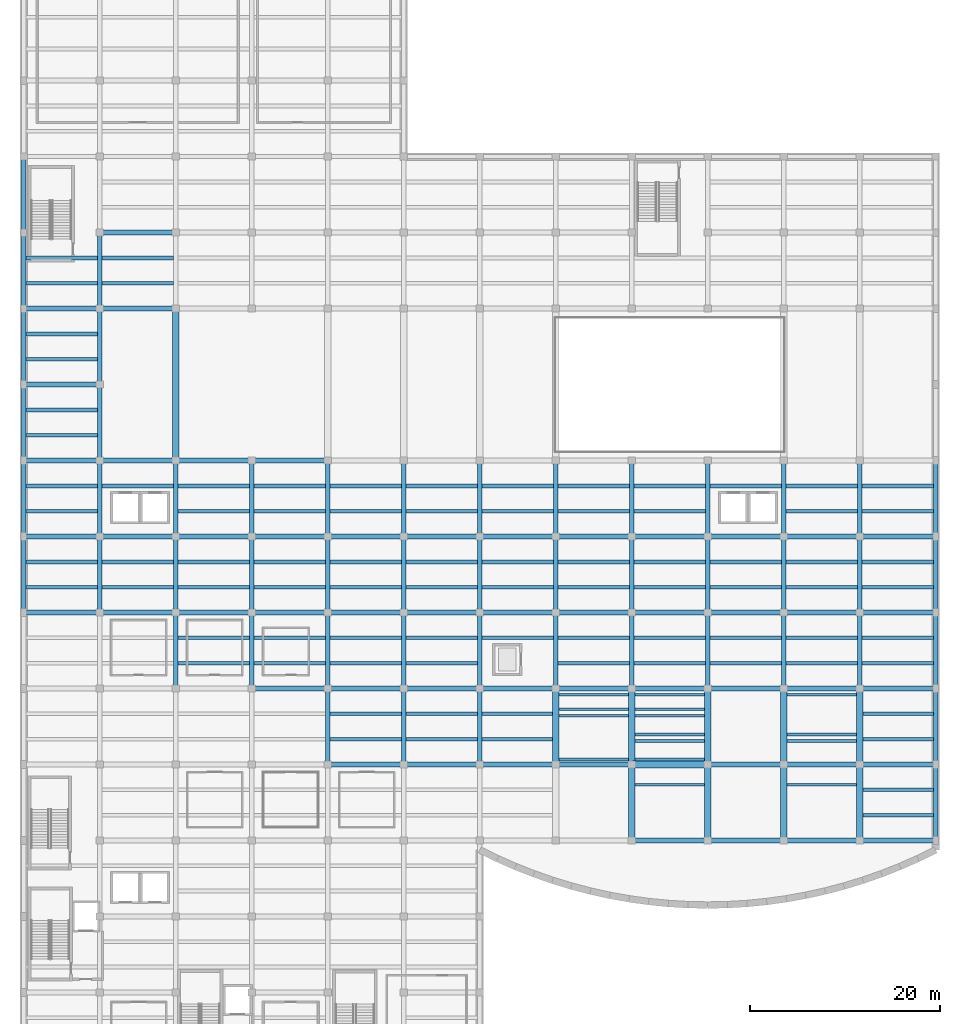
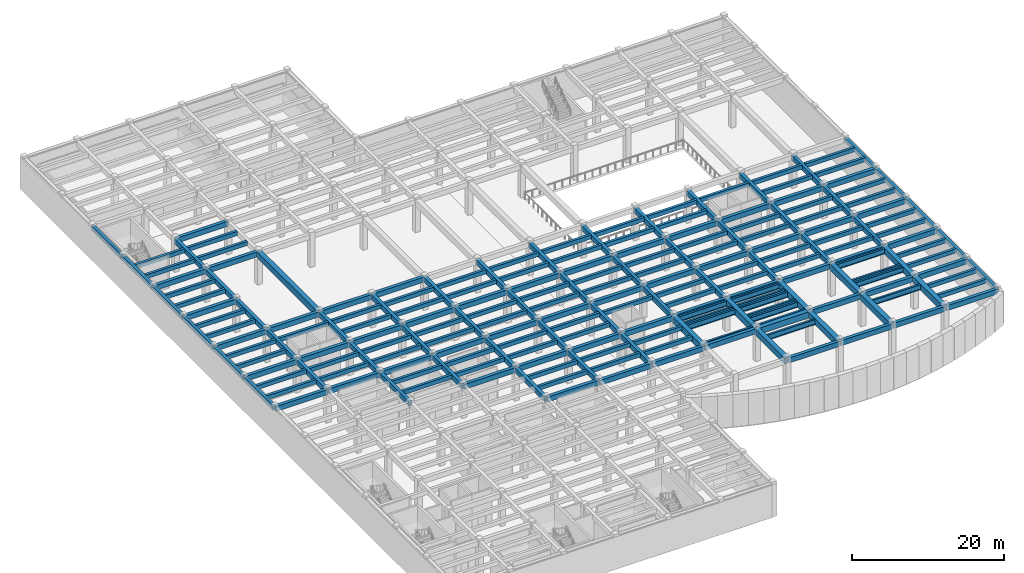
# One storey, part 2 of 19: 210 beams.
"""IFC4 building model written with IfcOpenShell, lengths in metres."""

from ifc_helpers import new_model, si_unit, direction, frame, origin, origin_2d, place, context, subcontext, project, spatial, rectangle, i_section, extrude, material, material_profile, profile_set, type_object, element, save


model = new_model("IFC4")

# Units and contexts
model_context = context("Model", 3, precision=1e-05, world=origin(), true_north=direction((0.0, 1.0)))
body_context = subcontext(model_context, "Body", "Model", "MODEL_VIEW")
ifc_project = project(units=[si_unit("LENGTHUNIT", "METRE"), si_unit("AREAUNIT", "SQUARE_METRE"), si_unit("VOLUMEUNIT", "CUBIC_METRE"), si_unit("PLANEANGLEUNIT", "RADIAN"), si_unit("MASSUNIT", "GRAM", prefix="KILO")], contexts=[model_context])

# Site, building, storey
site_placement = place(None, origin())
site = spatial("IfcSite", under=ifc_project, at=site_placement, CompositionType="ELEMENT")
building_placement = place(site_placement, origin())
building = spatial("IfcBuilding", under=site, at=building_placement, Name="Drelvath Fold Interchange", CompositionType="ELEMENT")
storey_placement = place(building_placement, frame((0.0, 0.0, -5.60009765625)))
storey = spatial("IfcBuildingStorey", under=building, at=storey_placement, Name="B1", CompositionType="ELEMENT", Elevation=-5.60009765625)

# Beams
ifc_material_1 = material(Name="Concrete f'c 45 MPa (6500 psi)", Category="concrete")
ifc_material_profile_1 = material_profile(ifc_material_1, rectangle(XDim=0.39990234375, YDim=0.64990234375, at=origin_2d()), Name="RC 400x650")
ifc_profile_set_1 = profile_set([ifc_material_profile_1], Name="Concrete f'c 45 MPa (6500 psi)")
beam_type_1 = type_object("IfcBeamType", Name="BM-RC400", PredefinedType="JOIST", material=ifc_profile_set_1)
for number, where, z_axis, x_axis, name in (
    (1, (4.222900390625, 53.6669921875, 4.955078125), (1.0, 0.0, 0.0), (0.0, 1.0, 0.0), "B1 Secondary floor joist BM-RC400"),
    (2, (4.222900390625, 56.3330078125, 4.955078125), (1.0, 0.0, 0.0), (0.0, 1.0, 0.0), "B1 Secondary floor joist BM-RC400"),
    (3, (4.222900390625, 61.6669921875, 4.955078125), (1.0, 0.0, 0.0), (0.0, 1.0, 0.0), "B1 Secondary floor joist BM-RC400"),
    (4, (4.222900390625, 64.3330078125, 4.955078125), (1.0, 0.0, 0.0), (0.0, 1.0, 0.0), "B1 Secondary floor joist BM-RC400"),
    (5, (4.222900390625, 69.6669921875, 4.955078125), (1.0, 0.0, 0.0), (0.0, 1.0, 0.0), "B1 Secondary floor joist BM-RC400"),
    (6, (4.222900390625, 72.3330078125, 4.955078125), (1.0, 0.0, 0.0), (0.0, 1.0, 0.0), "B1 Secondary floor joist BM-RC400"),
    (7, (4.222900390625, 77.6669921875, 4.955078125), (1.0, 0.0, 0.0), (0.0, 1.0, 0.0), "B1 Secondary floor joist BM-RC400"),
    (8, (4.222900390625, 80.3330078125, 4.955078125), (1.0, 0.0, 0.0), (0.0, 1.0, 0.0), "B1 Secondary floor joist BM-RC400"),
    (9, (4.222900390625, 85.6669921875, 4.955078125), (1.0, 0.0, 0.0), (0.0, 1.0, 0.0), "B1 Secondary floor joist BM-RC400"),
    (10, (4.222900390625, 88.3330078125, 4.955078125), (1.0, 0.0, 0.0), (0.0, 1.0, 0.0), "B1 Secondary floor joist BM-RC400"),
):
    element("IfcBeam", number, at=place(storey_placement, frame(where, z_axis=z_axis, x_axis=x_axis)), inside=storey, type_object=beam_type_1, Name=name, PredefinedType="JOIST", context=body_context, shape_type="SweptSolid", body=[
        extrude(rectangle(XDim=0.39990234375, YDim=0.64990234375, at=origin_2d()), origin(), (0.0, 0.0, 1.0), 7.529052734375),
    ])
for number, where, z_axis, x_axis, name in (
    (11, (12.248046875, 53.6669921875, 4.955078125), (1.0, 0.0, 0.0), (0.0, 1.0, 0.0), "B1 Secondary floor joist BM-RC400"),
    (12, (12.248046875, 56.3330078125, 4.955078125), (1.0, 0.0, 0.0), (0.0, 1.0, 0.0), "B1 Secondary floor joist BM-RC400"),
    (13, (12.248046875, 64.3330078125, 4.955078125), (1.0, 0.0, 0.0), (0.0, 1.0, 0.0), "B1 Secondary floor joist BM-RC400"),
    (14, (12.248046875, 85.6669921875, 4.955078125), (1.0, 0.0, 0.0), (0.0, 1.0, 0.0), "B1 Secondary floor joist BM-RC400"),
    (15, (12.248046875, 88.3330078125, 4.955078125), (1.0, 0.0, 0.0), (0.0, 1.0, 0.0), "B1 Secondary floor joist BM-RC400"),
    (16, (20.248046875, 45.6669921875, 4.955078125), (1.0, 0.0, 0.0), (0.0, 1.0, 0.0), "B1 Secondary floor joist BM-RC400"),
    (17, (20.248046875, 48.3330078125, 4.955078125), (1.0, 0.0, 0.0), (0.0, 1.0, 0.0), "B1 Secondary floor joist BM-RC400"),
    (18, (20.248046875, 53.6669921875, 4.955078125), (1.0, 0.0, 0.0), (0.0, 1.0, 0.0), "B1 Secondary floor joist BM-RC400"),
    (19, (20.248046875, 56.3330078125, 4.955078125), (1.0, 0.0, 0.0), (0.0, 1.0, 0.0), "B1 Secondary floor joist BM-RC400"),
    (20, (20.248046875, 61.6669921875, 4.955078125), (1.0, 0.0, 0.0), (0.0, 1.0, 0.0), "B1 Secondary floor joist BM-RC400"),
    (21, (20.248046875, 64.3330078125, 4.955078125), (1.0, 0.0, 0.0), (0.0, 1.0, 0.0), "B1 Secondary floor joist BM-RC400"),
    (22, (28.248046875, 45.6669921875, 4.955078125), (1.0, 0.0, 0.0), (0.0, 1.0, 0.0), "B1 Secondary floor joist BM-RC400"),
    (23, (28.248046875, 48.3330078125, 4.955078125), (1.0, 0.0, 0.0), (0.0, 1.0, 0.0), "B1 Secondary floor joist BM-RC400"),
    (24, (28.248046875, 53.6669921875, 4.955078125), (1.0, 0.0, 0.0), (0.0, 1.0, 0.0), "B1 Secondary floor joist BM-RC400"),
    (25, (28.248046875, 56.3330078125, 4.955078125), (1.0, 0.0, 0.0), (0.0, 1.0, 0.0), "B1 Secondary floor joist BM-RC400"),
    (26, (28.248046875, 61.6669921875, 4.955078125), (1.0, 0.0, 0.0), (0.0, 1.0, 0.0), "B1 Secondary floor joist BM-RC400"),
    (27, (28.248046875, 64.3330078125, 4.955078125), (1.0, 0.0, 0.0), (0.0, 1.0, 0.0), "B1 Secondary floor joist BM-RC400"),
    (28, (36.248046875, 37.6669921875, 4.955078125), (1.0, 0.0, 0.0), (0.0, 1.0, 0.0), "B1 Secondary floor joist BM-RC400"),
    (29, (36.248046875, 40.3330078125, 4.955078125), (1.0, 0.0, 0.0), (0.0, 1.0, 0.0), "B1 Secondary floor joist BM-RC400"),
    (30, (36.248046875, 45.6669921875, 4.955078125), (1.0, 0.0, 0.0), (0.0, 1.0, 0.0), "B1 Secondary floor joist BM-RC400"),
    (31, (36.248046875, 48.3330078125, 4.955078125), (1.0, 0.0, 0.0), (0.0, 1.0, 0.0), "B1 Secondary floor joist BM-RC400"),
    (32, (36.248046875, 53.6669921875, 4.955078125), (1.0, 0.0, 0.0), (0.0, 1.0, 0.0), "B1 Secondary floor joist BM-RC400"),
    (33, (36.248046875, 56.3330078125, 4.955078125), (1.0, 0.0, 0.0), (0.0, 1.0, 0.0), "B1 Secondary floor joist BM-RC400"),
    (34, (36.248046875, 61.6669921875, 4.955078125), (1.0, 0.0, 0.0), (0.0, 1.0, 0.0), "B1 Secondary floor joist BM-RC400"),
    (35, (36.248046875, 64.3330078125, 4.955078125), (1.0, 0.0, 0.0), (0.0, 1.0, 0.0), "B1 Secondary floor joist BM-RC400"),
    (36, (44.248046875, 37.6669921875, 4.955078125), (1.0, 0.0, 0.0), (0.0, 1.0, 0.0), "B1 Secondary floor joist BM-RC400"),
    (37, (44.248046875, 40.3330078125, 4.955078125), (1.0, 0.0, 0.0), (0.0, 1.0, 0.0), "B1 Secondary floor joist BM-RC400"),
    (38, (44.248046875, 45.6669921875, 4.955078125), (1.0, 0.0, 0.0), (0.0, 1.0, 0.0), "B1 Secondary floor joist BM-RC400"),
    (39, (44.248046875, 48.3330078125, 4.955078125), (1.0, 0.0, 0.0), (0.0, 1.0, 0.0), "B1 Secondary floor joist BM-RC400"),
    (40, (44.248046875, 53.6669921875, 4.955078125), (1.0, 0.0, 0.0), (0.0, 1.0, 0.0), "B1 Secondary floor joist BM-RC400"),
    (41, (44.248046875, 56.3330078125, 4.955078125), (1.0, 0.0, 0.0), (0.0, 1.0, 0.0), "B1 Secondary floor joist BM-RC400"),
    (42, (44.248046875, 61.6669921875, 4.955078125), (1.0, 0.0, 0.0), (0.0, 1.0, 0.0), "B1 Secondary floor joist BM-RC400"),
    (43, (44.248046875, 64.3330078125, 4.955078125), (1.0, 0.0, 0.0), (0.0, 1.0, 0.0), "B1 Secondary floor joist BM-RC400"),
):
    element("IfcBeam", number, at=place(storey_placement, frame(where, z_axis=z_axis, x_axis=x_axis)), inside=storey, type_object=beam_type_1, Name=name, PredefinedType="JOIST", context=body_context, shape_type="SweptSolid", body=[
        extrude(rectangle(XDim=0.39990234375, YDim=0.64990234375, at=origin_2d()), origin(), (0.0, 0.0, 1.0), 7.50390625),
    ])
for number, where, z_axis, x_axis, name in (
    (44, (52.248046875, 37.6669921875, 4.85498046875), (1.0, 0.0, 0.0), (0.0, 1.0, 0.0), "B1 Secondary floor joist BM-RC400"),
    (45, (52.248046875, 40.3330078125, 4.85498046875), (1.0, 0.0, 0.0), (0.0, 1.0, 0.0), "B1 Secondary floor joist BM-RC400"),
):
    element("IfcBeam", number, at=place(storey_placement, frame(where, z_axis=z_axis, x_axis=x_axis)), inside=storey, type_object=beam_type_1, Name=name, PredefinedType="JOIST", context=body_context, shape_type="SweptSolid", body=[
        extrude(rectangle(XDim=0.39990234375, YDim=0.64990234375, at=origin_2d()), origin(), (0.0, 0.0, 1.0), 7.404052734375),
    ])
for number, where, z_axis, x_axis, name in (
    (46, (52.248046875, 48.3330078125, 4.85498046875), (1.0, 0.0, 0.0), (0.0, 1.0, 0.0), "B1 Secondary floor joist BM-RC400"),
    (47, (52.248046875, 53.6669921875, 4.85498046875), (1.0, 0.0, 0.0), (0.0, 1.0, 0.0), "B1 Secondary floor joist BM-RC400"),
    (48, (52.248046875, 56.3330078125, 4.85498046875), (1.0, 0.0, 0.0), (0.0, 1.0, 0.0), "B1 Secondary floor joist BM-RC400"),
    (49, (52.248046875, 61.6669921875, 4.955078125), (1.0, 0.0, 0.0), (0.0, 1.0, 0.0), "B1 Secondary floor joist BM-RC400"),
    (50, (52.248046875, 64.3330078125, 4.955078125), (1.0, 0.0, 0.0), (0.0, 1.0, 0.0), "B1 Secondary floor joist BM-RC400"),
    (51, (60.248046875, 45.6669921875, 4.85498046875), (1.0, 0.0, 0.0), (0.0, 1.0, 0.0), "B1 Secondary floor joist BM-RC400"),
    (52, (60.248046875, 48.3330078125, 4.85498046875), (1.0, 0.0, 0.0), (0.0, 1.0, 0.0), "B1 Secondary floor joist BM-RC400"),
    (53, (60.248046875, 53.6669921875, 4.85498046875), (1.0, 0.0, 0.0), (0.0, 1.0, 0.0), "B1 Secondary floor joist BM-RC400"),
    (54, (60.248046875, 56.3330078125, 4.85498046875), (1.0, 0.0, 0.0), (0.0, 1.0, 0.0), "B1 Secondary floor joist BM-RC400"),
    (55, (60.248046875, 61.6669921875, 4.955078125), (1.0, 0.0, 0.0), (0.0, 1.0, 0.0), "B1 Secondary floor joist BM-RC400"),
    (56, (60.248046875, 64.3330078125, 4.955078125), (1.0, 0.0, 0.0), (0.0, 1.0, 0.0), "B1 Secondary floor joist BM-RC400"),
    (57, (68.248046875, 45.6669921875, 4.85498046875), (1.0, 0.0, 0.0), (0.0, 1.0, 0.0), "B1 Secondary floor joist BM-RC400"),
    (58, (68.248046875, 48.3330078125, 4.85498046875), (1.0, 0.0, 0.0), (0.0, 1.0, 0.0), "B1 Secondary floor joist BM-RC400"),
    (59, (68.248046875, 53.6669921875, 4.85498046875), (1.0, 0.0, 0.0), (0.0, 1.0, 0.0), "B1 Secondary floor joist BM-RC400"),
    (60, (68.248046875, 56.3330078125, 4.85498046875), (1.0, 0.0, 0.0), (0.0, 1.0, 0.0), "B1 Secondary floor joist BM-RC400"),
    (61, (68.248046875, 61.6669921875, 4.955078125), (1.0, 0.0, 0.0), (0.0, 1.0, 0.0), "B1 Secondary floor joist BM-RC400"),
    (62, (68.248046875, 64.3330078125, 4.955078125), (1.0, 0.0, 0.0), (0.0, 1.0, 0.0), "B1 Secondary floor joist BM-RC400"),
    (63, (76.248046875, 45.6669921875, 4.85498046875), (1.0, 0.0, 0.0), (0.0, 1.0, 0.0), "B1 Secondary floor joist BM-RC400"),
    (64, (76.248046875, 48.3330078125, 4.85498046875), (1.0, 0.0, 0.0), (0.0, 1.0, 0.0), "B1 Secondary floor joist BM-RC400"),
    (65, (76.248046875, 53.6669921875, 4.85498046875), (1.0, 0.0, 0.0), (0.0, 1.0, 0.0), "B1 Secondary floor joist BM-RC400"),
    (66, (76.248046875, 56.3330078125, 4.85498046875), (1.0, 0.0, 0.0), (0.0, 1.0, 0.0), "B1 Secondary floor joist BM-RC400"),
    (67, (76.248046875, 64.3330078125, 4.955078125), (1.0, 0.0, 0.0), (0.0, 1.0, 0.0), "B1 Secondary floor joist BM-RC400"),
    (68, (84.248046875, 45.6669921875, 4.85498046875), (1.0, 0.0, 0.0), (0.0, 1.0, 0.0), "B1 Secondary floor joist BM-RC400"),
    (69, (84.248046875, 48.3330078125, 4.85498046875), (1.0, 0.0, 0.0), (0.0, 1.0, 0.0), "B1 Secondary floor joist BM-RC400"),
    (70, (84.248046875, 53.6669921875, 4.85498046875), (1.0, 0.0, 0.0), (0.0, 1.0, 0.0), "B1 Secondary floor joist BM-RC400"),
    (71, (84.248046875, 56.3330078125, 4.85498046875), (1.0, 0.0, 0.0), (0.0, 1.0, 0.0), "B1 Secondary floor joist BM-RC400"),
    (72, (84.248046875, 61.6669921875, 4.955078125), (1.0, 0.0, 0.0), (0.0, 1.0, 0.0), "B1 Secondary floor joist BM-RC400"),
    (73, (84.248046875, 64.3330078125, 4.955078125), (1.0, 0.0, 0.0), (0.0, 1.0, 0.0), "B1 Secondary floor joist BM-RC400"),
):
    element("IfcBeam", number, at=place(storey_placement, frame(where, z_axis=z_axis, x_axis=x_axis)), inside=storey, type_object=beam_type_1, Name=name, PredefinedType="JOIST", context=body_context, shape_type="SweptSolid", body=[
        extrude(rectangle(XDim=0.39990234375, YDim=0.64990234375, at=origin_2d()), origin(), (0.0, 0.0, 1.0), 7.50390625),
    ])
for number, where, z_axis, x_axis, name in (
    (74, (92.347900390625, 29.6669921875, 4.85498046875), (1.0, 0.0, 0.0), (0.0, 1.0, 0.0), "B1 Secondary floor joist BM-RC400"),
    (75, (92.347900390625, 32.3330078125, 4.85498046875), (1.0, 0.0, 0.0), (0.0, 1.0, 0.0), "B1 Secondary floor joist BM-RC400"),
    (76, (92.347900390625, 37.6669921875, 4.85498046875), (1.0, 0.0, 0.0), (0.0, 1.0, 0.0), "B1 Secondary floor joist BM-RC400"),
    (77, (92.347900390625, 40.3330078125, 4.85498046875), (1.0, 0.0, 0.0), (0.0, 1.0, 0.0), "B1 Secondary floor joist BM-RC400"),
):
    element("IfcBeam", number, at=place(storey_placement, frame(where, z_axis=z_axis, x_axis=x_axis)), inside=storey, type_object=beam_type_1, Name=name, PredefinedType="JOIST", context=body_context, shape_type="SweptSolid", body=[
        extrude(rectangle(XDim=0.39990234375, YDim=0.64990234375, at=origin_2d()), origin(), (0.0, 0.0, 1.0), 7.42919921875),
    ])
for number, where, z_axis, x_axis, name in (
    (78, (92.248046875, 45.6669921875, 4.85498046875), (1.0, 0.0, 0.0), (0.0, 1.0, 0.0), "B1 Secondary floor joist BM-RC400"),
    (79, (92.248046875, 48.3330078125, 4.85498046875), (1.0, 0.0, 0.0), (0.0, 1.0, 0.0), "B1 Secondary floor joist BM-RC400"),
    (80, (92.248046875, 53.6669921875, 4.85498046875), (1.0, 0.0, 0.0), (0.0, 1.0, 0.0), "B1 Secondary floor joist BM-RC400"),
    (81, (92.248046875, 56.3330078125, 4.85498046875), (1.0, 0.0, 0.0), (0.0, 1.0, 0.0), "B1 Secondary floor joist BM-RC400"),
    (82, (92.248046875, 61.6669921875, 4.955078125), (1.0, 0.0, 0.0), (0.0, 1.0, 0.0), "B1 Secondary floor joist BM-RC400"),
    (83, (92.248046875, 64.3330078125, 4.955078125), (1.0, 0.0, 0.0), (0.0, 1.0, 0.0), "B1 Secondary floor joist BM-RC400"),
):
    element("IfcBeam", number, at=place(storey_placement, frame(where, z_axis=z_axis, x_axis=x_axis)), inside=storey, type_object=beam_type_1, Name=name, PredefinedType="JOIST", context=body_context, shape_type="SweptSolid", body=[
        extrude(rectangle(XDim=0.39990234375, YDim=0.64990234375, at=origin_2d()), origin(), (0.0, 0.0, 1.0), 7.529052734375),
    ])
ifc_material_profile_2 = material_profile(ifc_material_1, rectangle(XDim=0.449951171875, YDim=0.75, at=origin_2d()), Name="RC 450x750")
ifc_profile_set_2 = profile_set([ifc_material_profile_2], Name="Concrete f'c 45 MPa (6500 psi)")
beam_type_2 = type_object("IfcBeamType", Name="BM-RC450", PredefinedType="SPANDREL", material=ifc_profile_set_2)
for number, where, z_axis, x_axis, name in (
    (84, (4.0, 51.06005859375, 4.905029296875), (0.0, 1.0, 0.0), (-1.0, 0.0, 0.0), "B1 Primary Y girder BM-RC450"),
    (85, (4.0, 59.06005859375, 4.905029296875), (0.0, 1.0, 0.0), (-1.0, 0.0, 0.0), "B1 Primary Y girder BM-RC450"),
    (86, (4.0, 67.06005859375, 4.905029296875), (0.0, 1.0, 0.0), (-1.0, 0.0, 0.0), "B1 Primary Y girder BM-RC450"),
    (87, (4.0, 75.06005859375, 4.905029296875), (0.0, 1.0, 0.0), (-1.0, 0.0, 0.0), "B1 Primary Y girder BM-RC450"),
    (88, (4.0, 83.06005859375, 4.905029296875), (0.0, 1.0, 0.0), (-1.0, 0.0, 0.0), "B1 Primary Y girder BM-RC450"),
    (89, (4.0, 91.06005859375, 4.905029296875), (0.0, 1.0, 0.0), (-1.0, 0.0, 0.0), "B1 Primary Y girder BM-RC450"),
    (90, (100.0, 27.06005859375, 4.80517578125), (0.0, 1.0, 0.0), (-1.0, 0.0, 0.0), "B1 Primary Y girder BM-RC450"),
    (91, (100.0, 35.06005859375, 4.80517578125), (0.0, 1.0, 0.0), (-1.0, 0.0, 0.0), "B1 Primary Y girder BM-RC450"),
    (92, (100.0, 43.06005859375, 4.80517578125), (0.0, 1.0, 0.0), (-1.0, 0.0, 0.0), "B1 Primary Y girder BM-RC450"),
    (93, (100.0, 51.06005859375, 4.80517578125), (0.0, 1.0, 0.0), (-1.0, 0.0, 0.0), "B1 Primary Y girder BM-RC450"),
    (94, (100.0, 59.06005859375, 4.80517578125), (0.0, 1.0, 0.0), (-1.0, 0.0, 0.0), "B1 Primary Y girder BM-RC450"),
):
    element("IfcBeam", number, at=place(storey_placement, frame(where, z_axis=z_axis, x_axis=x_axis)), inside=storey, type_object=beam_type_2, Name=name, PredefinedType="SPANDREL", context=body_context, shape_type="SweptSolid", body=[
        extrude(rectangle(XDim=0.449951171875, YDim=0.75, at=origin_2d()), origin(), (0.0, 0.0, 1.0), 7.8798828125),
    ])
ifc_material_profile_3 = material_profile(ifc_material_1, rectangle(XDim=0.5, YDim=0.800048828125, at=origin_2d()), Name="RC 500x800")
ifc_profile_set_3 = profile_set([ifc_material_profile_3], Name="Concrete f'c 45 MPa (6500 psi)")
beam_type_3 = type_object("IfcBeamType", Name="BM-RC500", PredefinedType="BEAM", material=ifc_profile_set_3)
for number, where, z_axis, x_axis, name in (
    (95, (68.06005859375, 27.0, 4.780029296875), (1.0, 0.0, 0.0), (0.0, 1.0, 0.0), "B1 Primary X girder BM-RC500"),
    (96, (76.06005859375, 27.0, 4.780029296875), (1.0, 0.0, 0.0), (0.0, 1.0, 0.0), "B1 Primary X girder BM-RC500"),
    (97, (84.06005859375, 27.0, 4.780029296875), (1.0, 0.0, 0.0), (0.0, 1.0, 0.0), "B1 Primary X girder BM-RC500"),
    (98, (92.06005859375, 27.0, 4.780029296875), (1.0, 0.0, 0.0), (0.0, 1.0, 0.0), "B1 Primary X girder BM-RC500"),
    (99, (36.06005859375, 35.0, 4.880126953125), (1.0, 0.0, 0.0), (0.0, 1.0, 0.0), "B1 Primary X girder BM-RC500"),
    (100, (44.06005859375, 35.0, 4.780029296875), (1.0, 0.0, 0.0), (0.0, 1.0, 0.0), "B1 Primary X girder BM-RC500"),
    (101, (52.06005859375, 35.0, 4.780029296875), (1.0, 0.0, 0.0), (0.0, 1.0, 0.0), "B1 Primary X girder BM-RC500"),
    (102, (60.06005859375, 35.0, 4.780029296875), (1.0, 0.0, 0.0), (0.0, 1.0, 0.0), "B1 Primary X girder BM-RC500"),
    (103, (76.06005859375, 35.0, 4.780029296875), (1.0, 0.0, 0.0), (0.0, 1.0, 0.0), "B1 Primary X girder BM-RC500"),
    (104, (84.06005859375, 35.0, 4.780029296875), (1.0, 0.0, 0.0), (0.0, 1.0, 0.0), "B1 Primary X girder BM-RC500"),
    (105, (92.06005859375, 35.0, 4.780029296875), (1.0, 0.0, 0.0), (0.0, 1.0, 0.0), "B1 Primary X girder BM-RC500"),
    (106, (28.06005859375, 43.0, 4.880126953125), (1.0, 0.0, 0.0), (0.0, 1.0, 0.0), "B1 Primary X girder BM-RC500"),
    (107, (36.06005859375, 43.0, 4.880126953125), (1.0, 0.0, 0.0), (0.0, 1.0, 0.0), "B1 Primary X girder BM-RC500"),
    (108, (44.06005859375, 43.0, 4.780029296875), (1.0, 0.0, 0.0), (0.0, 1.0, 0.0), "B1 Primary X girder BM-RC500"),
    (109, (52.06005859375, 43.0, 4.780029296875), (1.0, 0.0, 0.0), (0.0, 1.0, 0.0), "B1 Primary X girder BM-RC500"),
    (110, (60.06005859375, 43.0, 4.780029296875), (1.0, 0.0, 0.0), (0.0, 1.0, 0.0), "B1 Primary X girder BM-RC500"),
    (111, (68.06005859375, 43.0, 4.780029296875), (1.0, 0.0, 0.0), (0.0, 1.0, 0.0), "B1 Primary X girder BM-RC500"),
    (112, (76.06005859375, 43.0, 4.780029296875), (1.0, 0.0, 0.0), (0.0, 1.0, 0.0), "B1 Primary X girder BM-RC500"),
    (113, (84.06005859375, 43.0, 4.780029296875), (1.0, 0.0, 0.0), (0.0, 1.0, 0.0), "B1 Primary X girder BM-RC500"),
    (114, (92.06005859375, 43.0, 4.780029296875), (1.0, 0.0, 0.0), (0.0, 1.0, 0.0), "B1 Primary X girder BM-RC500"),
    (115, (4.06005859375, 51.0, 4.880126953125), (1.0, 0.0, 0.0), (0.0, 1.0, 0.0), "B1 Primary X girder BM-RC500"),
    (116, (12.06005859375, 51.0, 4.880126953125), (1.0, 0.0, 0.0), (0.0, 1.0, 0.0), "B1 Primary X girder BM-RC500"),
    (117, (20.06005859375, 51.0, 4.880126953125), (1.0, 0.0, 0.0), (0.0, 1.0, 0.0), "B1 Primary X girder BM-RC500"),
    (118, (28.06005859375, 51.0, 4.880126953125), (1.0, 0.0, 0.0), (0.0, 1.0, 0.0), "B1 Primary X girder BM-RC500"),
    (119, (36.06005859375, 51.0, 4.880126953125), (1.0, 0.0, 0.0), (0.0, 1.0, 0.0), "B1 Primary X girder BM-RC500"),
    (120, (44.06005859375, 51.0, 4.780029296875), (1.0, 0.0, 0.0), (0.0, 1.0, 0.0), "B1 Primary X girder BM-RC500"),
    (121, (52.06005859375, 51.0, 4.780029296875), (1.0, 0.0, 0.0), (0.0, 1.0, 0.0), "B1 Primary X girder BM-RC500"),
    (122, (60.06005859375, 51.0, 4.780029296875), (1.0, 0.0, 0.0), (0.0, 1.0, 0.0), "B1 Primary X girder BM-RC500"),
    (123, (68.06005859375, 51.0, 4.780029296875), (1.0, 0.0, 0.0), (0.0, 1.0, 0.0), "B1 Primary X girder BM-RC500"),
    (124, (76.06005859375, 51.0, 4.780029296875), (1.0, 0.0, 0.0), (0.0, 1.0, 0.0), "B1 Primary X girder BM-RC500"),
    (125, (84.06005859375, 51.0, 4.780029296875), (1.0, 0.0, 0.0), (0.0, 1.0, 0.0), "B1 Primary X girder BM-RC500"),
    (126, (92.06005859375, 51.0, 4.780029296875), (1.0, 0.0, 0.0), (0.0, 1.0, 0.0), "B1 Primary X girder BM-RC500"),
    (127, (4.06005859375, 59.0, 4.880126953125), (1.0, 0.0, 0.0), (0.0, 1.0, 0.0), "B1 Primary X girder BM-RC500"),
    (128, (12.06005859375, 59.0, 4.880126953125), (1.0, 0.0, 0.0), (0.0, 1.0, 0.0), "B1 Primary X girder BM-RC500"),
    (129, (20.06005859375, 59.0, 4.880126953125), (1.0, 0.0, 0.0), (0.0, 1.0, 0.0), "B1 Primary X girder BM-RC500"),
    (130, (28.06005859375, 59.0, 4.880126953125), (1.0, 0.0, 0.0), (0.0, 1.0, 0.0), "B1 Primary X girder BM-RC500"),
    (131, (36.06005859375, 59.0, 4.880126953125), (1.0, 0.0, 0.0), (0.0, 1.0, 0.0), "B1 Primary X girder BM-RC500"),
    (132, (44.06005859375, 59.0, 4.780029296875), (1.0, 0.0, 0.0), (0.0, 1.0, 0.0), "B1 Primary X girder BM-RC500"),
    (133, (52.06005859375, 59.0, 4.780029296875), (1.0, 0.0, 0.0), (0.0, 1.0, 0.0), "B1 Primary X girder BM-RC500"),
    (134, (60.06005859375, 59.0, 4.780029296875), (1.0, 0.0, 0.0), (0.0, 1.0, 0.0), "B1 Primary X girder BM-RC500"),
    (135, (68.06005859375, 59.0, 4.780029296875), (1.0, 0.0, 0.0), (0.0, 1.0, 0.0), "B1 Primary X girder BM-RC500"),
    (136, (76.06005859375, 59.0, 4.780029296875), (1.0, 0.0, 0.0), (0.0, 1.0, 0.0), "B1 Primary X girder BM-RC500"),
    (137, (84.06005859375, 59.0, 4.780029296875), (1.0, 0.0, 0.0), (0.0, 1.0, 0.0), "B1 Primary X girder BM-RC500"),
    (138, (92.06005859375, 59.0, 4.780029296875), (1.0, 0.0, 0.0), (0.0, 1.0, 0.0), "B1 Primary X girder BM-RC500"),
    (139, (4.06005859375, 67.0, 4.880126953125), (1.0, 0.0, 0.0), (0.0, 1.0, 0.0), "B1 Primary X girder BM-RC500"),
    (140, (12.06005859375, 67.0, 4.880126953125), (1.0, 0.0, 0.0), (0.0, 1.0, 0.0), "B1 Primary X girder BM-RC500"),
    (141, (20.06005859375, 67.0, 4.880126953125), (1.0, 0.0, 0.0), (0.0, 1.0, 0.0), "B1 Primary X girder BM-RC500"),
    (142, (28.06005859375, 67.0, 4.880126953125), (1.0, 0.0, 0.0), (0.0, 1.0, 0.0), "B1 Primary X girder BM-RC500"),
    (143, (4.06005859375, 75.0, 4.880126953125), (1.0, 0.0, 0.0), (0.0, 1.0, 0.0), "B1 Primary X girder BM-RC500"),
    (144, (4.06005859375, 83.0, 4.880126953125), (1.0, 0.0, 0.0), (0.0, 1.0, 0.0), "B1 Primary X girder BM-RC500"),
    (145, (12.06005859375, 83.0, 4.880126953125), (1.0, 0.0, 0.0), (0.0, 1.0, 0.0), "B1 Primary X girder BM-RC500"),
    (146, (12.06005859375, 91.0, 4.880126953125), (1.0, 0.0, 0.0), (0.0, 1.0, 0.0), "B1 Primary X girder BM-RC500"),
    (147, (12.0, 51.06005859375, 4.880126953125), (0.0, 1.0, 0.0), (-1.0, 0.0, 0.0), "B1 Primary Y girder BM-RC500"),
    (148, (12.0, 59.06005859375, 4.880126953125), (0.0, 1.0, 0.0), (-1.0, 0.0, 0.0), "B1 Primary Y girder BM-RC500"),
    (149, (12.0, 67.06005859375, 4.880126953125), (0.0, 1.0, 0.0), (-1.0, 0.0, 0.0), "B1 Primary Y girder BM-RC500"),
    (150, (12.0, 75.06005859375, 4.880126953125), (0.0, 1.0, 0.0), (-1.0, 0.0, 0.0), "B1 Primary Y girder BM-RC500"),
    (151, (12.0, 83.06005859375, 4.880126953125), (0.0, 1.0, 0.0), (-1.0, 0.0, 0.0), "B1 Primary Y girder BM-RC500"),
    (152, (20.0, 43.06005859375, 4.880126953125), (0.0, 1.0, 0.0), (-1.0, 0.0, 0.0), "B1 Primary Y girder BM-RC500"),
    (153, (20.0, 51.06005859375, 4.880126953125), (0.0, 1.0, 0.0), (-1.0, 0.0, 0.0), "B1 Primary Y girder BM-RC500"),
    (154, (20.0, 59.06005859375, 4.880126953125), (0.0, 1.0, 0.0), (-1.0, 0.0, 0.0), "B1 Primary Y girder BM-RC500"),
    (155, (28.0, 43.06005859375, 4.880126953125), (0.0, 1.0, 0.0), (-1.0, 0.0, 0.0), "B1 Primary Y girder BM-RC500"),
    (156, (28.0, 51.06005859375, 4.880126953125), (0.0, 1.0, 0.0), (-1.0, 0.0, 0.0), "B1 Primary Y girder BM-RC500"),
    (157, (28.0, 59.06005859375, 4.880126953125), (0.0, 1.0, 0.0), (-1.0, 0.0, 0.0), "B1 Primary Y girder BM-RC500"),
    (158, (36.0, 35.06005859375, 4.880126953125), (0.0, 1.0, 0.0), (-1.0, 0.0, 0.0), "B1 Primary Y girder BM-RC500"),
    (159, (36.0, 43.06005859375, 4.880126953125), (0.0, 1.0, 0.0), (-1.0, 0.0, 0.0), "B1 Primary Y girder BM-RC500"),
    (160, (36.0, 51.06005859375, 4.880126953125), (0.0, 1.0, 0.0), (-1.0, 0.0, 0.0), "B1 Primary Y girder BM-RC500"),
    (161, (36.0, 59.06005859375, 4.880126953125), (0.0, 1.0, 0.0), (-1.0, 0.0, 0.0), "B1 Primary Y girder BM-RC500"),
    (162, (44.0, 35.06005859375, 4.880126953125), (0.0, 1.0, 0.0), (-1.0, 0.0, 0.0), "B1 Primary Y girder BM-RC500"),
    (163, (44.0, 43.06005859375, 4.880126953125), (0.0, 1.0, 0.0), (-1.0, 0.0, 0.0), "B1 Primary Y girder BM-RC500"),
    (164, (44.0, 51.06005859375, 4.880126953125), (0.0, 1.0, 0.0), (-1.0, 0.0, 0.0), "B1 Primary Y girder BM-RC500"),
    (165, (44.0, 59.06005859375, 4.880126953125), (0.0, 1.0, 0.0), (-1.0, 0.0, 0.0), "B1 Primary Y girder BM-RC500"),
    (166, (52.0, 35.06005859375, 4.780029296875), (0.0, 1.0, 0.0), (-1.0, 0.0, 0.0), "B1 Primary Y girder BM-RC500"),
    (167, (52.0, 43.06005859375, 4.780029296875), (0.0, 1.0, 0.0), (-1.0, 0.0, 0.0), "B1 Primary Y girder BM-RC500"),
    (168, (52.0, 51.06005859375, 4.780029296875), (0.0, 1.0, 0.0), (-1.0, 0.0, 0.0), "B1 Primary Y girder BM-RC500"),
    (169, (52.0, 59.06005859375, 4.780029296875), (0.0, 1.0, 0.0), (-1.0, 0.0, 0.0), "B1 Primary Y girder BM-RC500"),
    (170, (60.0, 43.06005859375, 4.780029296875), (0.0, 1.0, 0.0), (-1.0, 0.0, 0.0), "B1 Primary Y girder BM-RC500"),
    (171, (60.0, 51.06005859375, 4.780029296875), (0.0, 1.0, 0.0), (-1.0, 0.0, 0.0), "B1 Primary Y girder BM-RC500"),
    (172, (60.0, 59.06005859375, 4.780029296875), (0.0, 1.0, 0.0), (-1.0, 0.0, 0.0), "B1 Primary Y girder BM-RC500"),
    (173, (68.0, 43.06005859375, 4.780029296875), (0.0, 1.0, 0.0), (-1.0, 0.0, 0.0), "B1 Primary Y girder BM-RC500"),
    (174, (68.0, 51.06005859375, 4.780029296875), (0.0, 1.0, 0.0), (-1.0, 0.0, 0.0), "B1 Primary Y girder BM-RC500"),
    (175, (68.0, 59.06005859375, 4.780029296875), (0.0, 1.0, 0.0), (-1.0, 0.0, 0.0), "B1 Primary Y girder BM-RC500"),
    (176, (76.0, 43.06005859375, 4.780029296875), (0.0, 1.0, 0.0), (-1.0, 0.0, 0.0), "B1 Primary Y girder BM-RC500"),
    (177, (76.0, 51.06005859375, 4.780029296875), (0.0, 1.0, 0.0), (-1.0, 0.0, 0.0), "B1 Primary Y girder BM-RC500"),
    (178, (76.0, 59.06005859375, 4.780029296875), (0.0, 1.0, 0.0), (-1.0, 0.0, 0.0), "B1 Primary Y girder BM-RC500"),
    (179, (84.0, 43.06005859375, 4.780029296875), (0.0, 1.0, 0.0), (-1.0, 0.0, 0.0), "B1 Primary Y girder BM-RC500"),
    (180, (84.0, 51.06005859375, 4.780029296875), (0.0, 1.0, 0.0), (-1.0, 0.0, 0.0), "B1 Primary Y girder BM-RC500"),
    (181, (84.0, 59.06005859375, 4.780029296875), (0.0, 1.0, 0.0), (-1.0, 0.0, 0.0), "B1 Primary Y girder BM-RC500"),
    (182, (92.0, 43.06005859375, 4.780029296875), (0.0, 1.0, 0.0), (-1.0, 0.0, 0.0), "B1 Primary Y girder BM-RC500"),
    (183, (92.0, 51.06005859375, 4.780029296875), (0.0, 1.0, 0.0), (-1.0, 0.0, 0.0), "B1 Primary Y girder BM-RC500"),
    (184, (92.0, 59.06005859375, 4.780029296875), (0.0, 1.0, 0.0), (-1.0, 0.0, 0.0), "B1 Primary Y girder BM-RC500"),
):
    element("IfcBeam", number, at=place(storey_placement, frame(where, z_axis=z_axis, x_axis=x_axis)), inside=storey, type_object=beam_type_3, Name=name, PredefinedType="BEAM", context=body_context, shape_type="SweptSolid", body=[
        extrude(rectangle(XDim=0.5, YDim=0.800048828125, at=origin_2d()), origin(), (0.0, 0.0, 1.0), 7.8798828125),
    ])
ifc_material_profile_4 = material_profile(ifc_material_1, rectangle(XDim=0.699951171875, YDim=1.0, at=origin_2d()), Name="RC 700x1000")
ifc_profile_set_4 = profile_set([ifc_material_profile_4], Name="Concrete f'c 45 MPa (6500 psi)")
beam_type_4 = type_object("IfcBeamType", Name="BM-RC700", PredefinedType="BEAM", material=ifc_profile_set_4)
beam_1_placement = place(storey_placement, frame((68.06005859375, 35.0, 4.68017578125), z_axis=(1.0, 0.0, 0.0), x_axis=(0.0, 1.0, 0.0)))
element("IfcBeam", 185, at=beam_1_placement, inside=storey, type_object=beam_type_4, Name="B1 Primary X girder BM-RC700", PredefinedType="BEAM", context=body_context, shape_type="SweptSolid", body=[
    extrude(rectangle(XDim=0.699951171875, YDim=1.0, at=origin_2d()), origin(), (0.0, 0.0, 1.0), 7.8798828125),
])
beam_2_placement = place(storey_placement, frame((20.0, 67.06005859375, 4.780029296875), z_axis=(0.0, 1.0, 0.0), x_axis=(-1.0, 0.0, 0.0)))
element("IfcBeam", 186, at=beam_2_placement, inside=storey, type_object=beam_type_4, Name="B1 Primary Y girder BM-RC700", PredefinedType="BEAM", context=body_context, shape_type="SweptSolid", body=[
    extrude(rectangle(XDim=0.699951171875, YDim=1.0, at=origin_2d()), origin(), (0.0, 0.0, 1.0), 15.8798828125),
])
for number, where, z_axis, x_axis, name in (
    (187, (60.0, 35.06005859375, 4.68017578125), (0.0, 1.0, 0.0), (-1.0, 0.0, 0.0), "B1 Primary Y girder BM-RC700"),
    (188, (68.0, 27.06005859375, 4.68017578125), (0.0, 1.0, 0.0), (-1.0, 0.0, 0.0), "B1 Primary Y girder BM-RC700"),
    (189, (68.0, 35.06005859375, 4.68017578125), (0.0, 1.0, 0.0), (-1.0, 0.0, 0.0), "B1 Primary Y girder BM-RC700"),
    (190, (76.0, 27.06005859375, 4.68017578125), (0.0, 1.0, 0.0), (-1.0, 0.0, 0.0), "B1 Primary Y girder BM-RC700"),
    (191, (76.0, 35.06005859375, 4.68017578125), (0.0, 1.0, 0.0), (-1.0, 0.0, 0.0), "B1 Primary Y girder BM-RC700"),
    (192, (84.0, 27.06005859375, 4.68017578125), (0.0, 1.0, 0.0), (-1.0, 0.0, 0.0), "B1 Primary Y girder BM-RC700"),
    (193, (84.0, 35.06005859375, 4.68017578125), (0.0, 1.0, 0.0), (-1.0, 0.0, 0.0), "B1 Primary Y girder BM-RC700"),
    (194, (92.0, 27.06005859375, 4.68017578125), (0.0, 1.0, 0.0), (-1.0, 0.0, 0.0), "B1 Primary Y girder BM-RC700"),
    (195, (92.0, 35.06005859375, 4.68017578125), (0.0, 1.0, 0.0), (-1.0, 0.0, 0.0), "B1 Primary Y girder BM-RC700"),
):
    element("IfcBeam", number, at=place(storey_placement, frame(where, z_axis=z_axis, x_axis=x_axis)), inside=storey, type_object=beam_type_4, Name=name, PredefinedType="BEAM", context=body_context, shape_type="SweptSolid", body=[
        extrude(rectangle(XDim=0.699951171875, YDim=1.0, at=origin_2d()), origin(), (0.0, 0.0, 1.0), 7.8798828125),
    ])
ifc_material_2 = material(Name="Steel ASTM A992 Grade 50", Category="steel")
ifc_material_profile_5 = material_profile(ifc_material_2, i_section(OverallWidth=0.2919921875, OverallDepth=0.85888671875, WebThickness=0.01708984375, FlangeThickness=0.031005859375, at=origin_2d()), Name="W33X169")
ifc_profile_set_5 = profile_set([ifc_material_profile_5], Name="Steel ASTM A992 Grade 50")
beam_type_5 = type_object("IfcBeamType", Name="BM-W33X169", PredefinedType="USERDEFINED", material=ifc_profile_set_5)
for number, where, z_axis, x_axis, name in (
    (196, (60.347900390625, 35.52001953125, 4.7509765625), (1.0, 0.0, 0.0), (0.0, 1.0, 0.0), "Promenade ramp post transfer support girder RG-01"),
    (197, (60.347900390625, 40.1298828125, 4.7509765625), (1.0, 0.0, 0.0), (0.0, 1.0, 0.0), "Promenade ramp post transfer support girder RG-02"),
    (198, (60.347900390625, 40.820068359375, 4.7509765625), (1.0, 0.0, 0.0), (0.0, 1.0, 0.0), "Promenade ramp post transfer support girder RG-03"),
    (199, (60.347900390625, 42.35009765625, 4.7509765625), (1.0, 0.0, 0.0), (0.0, 1.0, 0.0), "Promenade ramp post transfer support girder RG-04"),
    (200, (68.347900390625, 32.8701171875, 4.7509765625), (1.0, 0.0, 0.0), (0.0, 1.0, 0.0), "Promenade ramp post transfer support girder RG-05"),
    (201, (68.347900390625, 35.52001953125, 4.7509765625), (1.0, 0.0, 0.0), (0.0, 1.0, 0.0), "Promenade ramp post transfer support girder RG-06"),
    (202, (68.347900390625, 37.47998046875, 4.7509765625), (1.0, 0.0, 0.0), (0.0, 1.0, 0.0), "Promenade ramp post transfer support girder RG-07"),
    (203, (68.347900390625, 38.169921875, 4.7509765625), (1.0, 0.0, 0.0), (0.0, 1.0, 0.0), "Promenade ramp post transfer support girder RG-08"),
    (204, (68.347900390625, 40.1298828125, 4.7509765625), (1.0, 0.0, 0.0), (0.0, 1.0, 0.0), "Promenade ramp post transfer support girder RG-09"),
    (205, (68.347900390625, 40.820068359375, 4.7509765625), (1.0, 0.0, 0.0), (0.0, 1.0, 0.0), "Promenade ramp post transfer support girder RG-10"),
    (206, (68.347900390625, 42.35009765625, 4.7509765625), (1.0, 0.0, 0.0), (0.0, 1.0, 0.0), "Promenade ramp post transfer support girder RG-11"),
    (207, (84.347900390625, 32.8701171875, 4.7509765625), (1.0, 0.0, 0.0), (0.0, 1.0, 0.0), "Promenade ramp post transfer support girder RG-12"),
    (208, (84.347900390625, 37.47998046875, 4.7509765625), (1.0, 0.0, 0.0), (0.0, 1.0, 0.0), "Promenade ramp post transfer support girder RG-13"),
    (209, (84.347900390625, 38.169921875, 4.7509765625), (1.0, 0.0, 0.0), (0.0, 1.0, 0.0), "Promenade ramp post transfer support girder RG-14"),
    (210, (84.347900390625, 42.35009765625, 4.7509765625), (1.0, 0.0, 0.0), (0.0, 1.0, 0.0), "Promenade ramp post transfer support girder RG-15"),
):
    element("IfcBeam", number, at=place(storey_placement, frame(where, z_axis=z_axis, x_axis=x_axis)), inside=storey, type_object=beam_type_5, Name=name, ObjectType="GIRDER", PredefinedType="USERDEFINED", context=body_context, shape_type="SweptSolid", body=[
        extrude(i_section(OverallWidth=0.2919921875, OverallDepth=0.85888671875, WebThickness=0.01708984375, FlangeThickness=0.031005859375, at=origin_2d()), origin(), (0.0, 0.0, 1.0), 7.30419921875),
    ])

save(model, "model.ifc")
